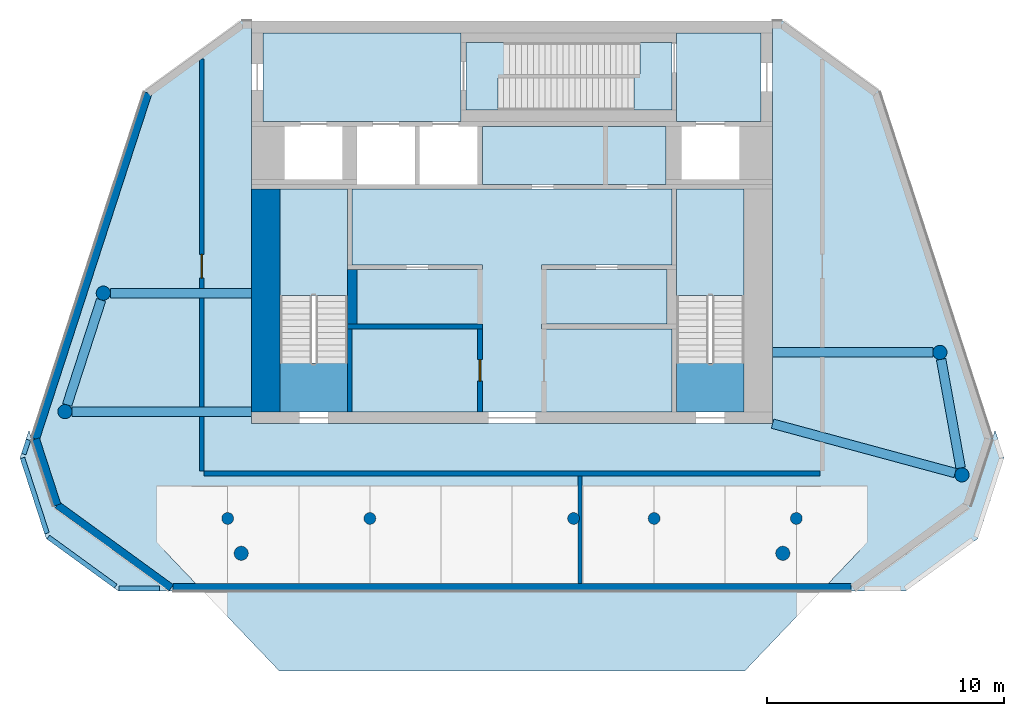
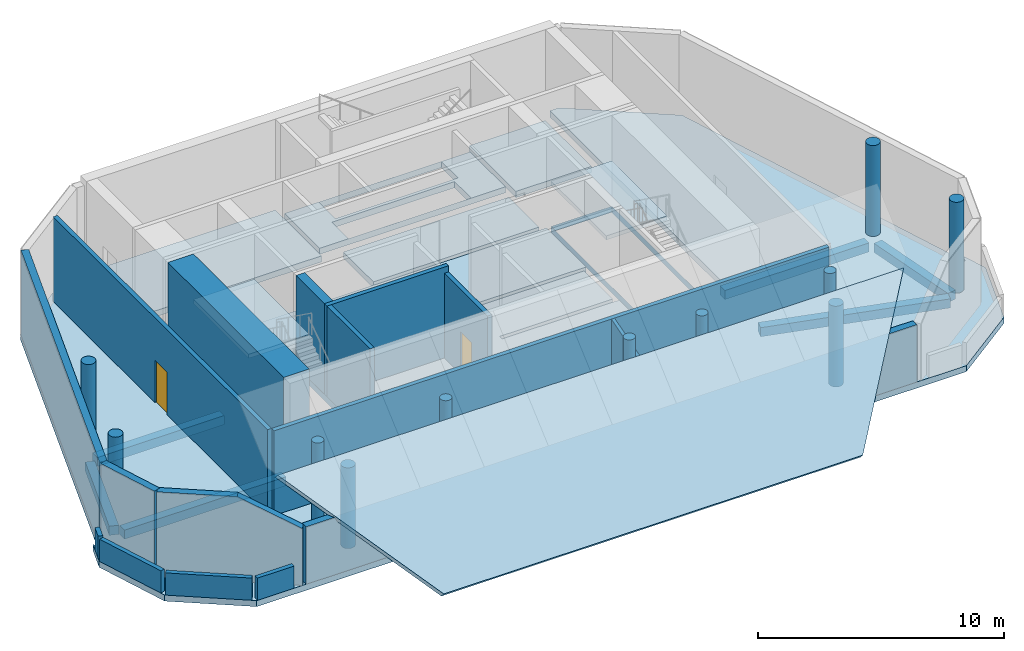
# One storey, part 1 of 6: 16 walls, 11 columns, 11 slabs, 6 beams, 2 doors, 2 openings, 2 elements without a shape of their own.
"""IFC4 building model written with IfcOpenShell, lengths in metres."""

from ifc_helpers import new_model, si_unit, direction, frame, frame_2d, origin, origin_2d, place, context, subcontext, project, spatial, polyline, rectangle, circle, outline, extrude, material, layer, layer_set, material_profile, profile_set, type_object, element, fill, aggregate, save


model = new_model("IFC4")

# Units and contexts
model_context = context("Model", 3, precision=1e-05, world=origin(), true_north=direction((0.0, 1.0)))
body_context = subcontext(model_context, "Body", "Model", "MODEL_VIEW")
ifc_project = project(units=[si_unit("LENGTHUNIT", "METRE"), si_unit("AREAUNIT", "SQUARE_METRE"), si_unit("VOLUMEUNIT", "CUBIC_METRE"), si_unit("PLANEANGLEUNIT", "RADIAN"), si_unit("MASSUNIT", "GRAM", prefix="KILO")], contexts=[model_context])

# Site, building, storey
site_placement = place(None, origin())
site = spatial("IfcSite", under=ifc_project, at=site_placement, CompositionType="ELEMENT")
building_placement = place(site_placement, origin())
building = spatial("IfcBuilding", under=site, at=building_placement, Name="White Candle Pilgrim Tower", CompositionType="ELEMENT")
storey_placement = place(building_placement, frame((0.0, 0.0, 337.699951171875)))
storey = spatial("IfcBuildingStorey", under=building, at=storey_placement, Name="L79", CompositionType="ELEMENT", Elevation=337.699951171875)

# Columns
ifc_material_1 = material(Name="Concrete C60/75", Category="concrete")
ifc_material_profile_1 = material_profile(ifc_material_1, circle(Radius=0.25, at=origin_2d()), Name="RC-COL D500")
ifc_profile_set_1 = profile_set([ifc_material_profile_1], Name="Concrete C60/75")
column_type_1 = type_object("IfcColumnType", Name="Interior column RC-COL D500 C60/75", PredefinedType="COLUMN", material=ifc_profile_set_1)
for number, where, z_axis, x_axis, name in (
    (1, (58.0, 67.0, 0.0), (0.0, 0.0, 1.0), (1.0, 0.0, 0.0), "L79 crown column I01"),
    (2, (64.0, 67.0, 0.0), (0.0, 0.0, 1.0), (1.0, 0.0, 0.0), "L79 crown column I02"),
    (3, (72.60009765625, 67.0, 0.0), (0.0, 0.0, 1.0), (1.0, 0.0, 0.0), "L79 crown column I04"),
    (4, (76.0, 67.0, 0.0), (0.0, 0.0, 1.0), (1.0, 0.0, 0.0), "L79 crown column I05"),
    (5, (82.0, 67.0, 0.0), (0.0, 0.0, 1.0), (1.0, 0.0, 0.0), "L79 crown column I06"),
):
    element("IfcColumn", number, at=place(storey_placement, frame(where, z_axis=z_axis, x_axis=x_axis)), inside=storey, type_object=column_type_1, Name=name, PredefinedType="COLUMN", context=body_context, shape_type="SweptSolid", body=[
        extrude(circle(Radius=0.25, at=origin_2d()), origin(), (0.0, 0.0, 1.0), 4.5),
    ])
ifc_material_profile_2 = material_profile(ifc_material_1, circle(Radius=0.300048828125, at=origin_2d()), Name="RC-COL D600")
ifc_profile_set_2 = profile_set([ifc_material_profile_2], Name="Concrete C60/75")
column_type_2 = type_object("IfcColumnType", Name="Perimeter column RC-COL D600 C60/75", PredefinedType="COLUMN", material=ifc_profile_set_2)
for number, where, z_axis, x_axis, name in (
    (6, (88.989990234375, 68.840087890625, 0.0), (0.0, 0.0, 1.0), (1.0, 0.0, 0.0), "L79 crown column T05"),
    (7, (88.06005859375, 74.010009765625, 0.0), (0.0, 0.0, 1.0), (1.0, 0.0, 0.0), "L79 crown column T06"),
    (8, (52.75, 76.510009765625, 0.0), (0.0, 0.0, 1.0), (1.0, 0.0, 0.0), "L79 crown column T07"),
    (9, (51.1298828125, 71.510009765625, 0.0), (0.0, 0.0, 1.0), (1.0, 0.0, 0.0), "L79 crown column T08"),
):
    element("IfcColumn", number, at=place(storey_placement, frame(where, z_axis=z_axis, x_axis=x_axis)), inside=storey, type_object=column_type_2, Name=name, PredefinedType="COLUMN", context=body_context, shape_type="SweptSolid", body=[
        extrude(circle(Radius=0.300048828125, at=origin_2d()), origin(), (0.0, 0.0, 1.0), 4.5),
    ])
ifc_material_profile_3 = material_profile(ifc_material_1, circle(Radius=0.300048828125, at=origin_2d()), Name="RC-COL D600")
ifc_profile_set_3 = profile_set([ifc_material_profile_3], Name="Concrete C60/75")
column_type_3 = type_object("IfcColumnType", Name="Ring column RC-COL D600 C60/75", PredefinedType="COLUMN", material=ifc_profile_set_3)
for number, where, z_axis, x_axis, name in (
    (10, (81.429931640625, 65.530029296875, 0.0), (0.0, 0.0, 1.0), (1.0, 0.0, 0.0), "L79 crown column R05"),
    (11, (58.570068359375, 65.530029296875, 0.0), (0.0, 0.0, 1.0), (1.0, 0.0, 0.0), "L79 crown column R06"),
):
    element("IfcColumn", number, at=place(storey_placement, frame(where, z_axis=z_axis, x_axis=x_axis)), inside=storey, type_object=column_type_3, Name=name, PredefinedType="COLUMN", context=body_context, shape_type="SweptSolid", body=[
        extrude(circle(Radius=0.300048828125, at=origin_2d()), origin(), (0.0, 0.0, 1.0), 4.003662109375),
    ])

# Beams
ifc_material_2 = material(Name="Concrete C50/60", Category="concrete")
ifc_material_profile_4 = material_profile(ifc_material_2, rectangle(XDim=0.39990234375, YDim=0.449951171875, at=origin_2d()), Name="RC-BM 400x450")
ifc_profile_set_4 = profile_set([ifc_material_profile_4], Name="Concrete C50/60")
beam_type = type_object("IfcBeamType", Name="Spandrel beam RC-BM 400x450 C50/60", PredefinedType="BEAM", material=ifc_profile_set_4)
beam_1_placement = place(storey_placement, frame((88.93701171875, 69.135009765625, -0.52490234375), z_axis=(-0.177070671153, 0.984198139308, 0.0), x_axis=(-0.984198139308, -0.177070671153, 0.0)))
element("IfcBeam", 12, at=beam_1_placement, inside=storey, type_object=beam_type, Name="L79 spandrel beam T01", PredefinedType="BEAM", context=body_context, shape_type="SweptSolid", body=[
    extrude(rectangle(XDim=0.39990234375, YDim=0.449951171875, at=origin_2d()), origin(), (0.0, 0.0, 1.0), 4.6533203125),
])
beam_2_placement = place(storey_placement, frame((87.760009765625, 74.010009765625, -0.52490234375), z_axis=(-1.0, 0.0, 0.0), x_axis=(0.0, -1.0, 0.0)))
element("IfcBeam", 13, at=beam_2_placement, inside=storey, type_object=beam_type, Name="L79 spandrel beam T02", PredefinedType="BEAM", context=body_context, shape_type="SweptSolid", body=[
    extrude(rectangle(XDim=0.39990234375, YDim=0.449951171875, at=origin_2d()), origin(), (0.0, 0.0, 1.0), 6.760009765625),
])
beam_3_placement = place(storey_placement, frame((53.050048828125, 76.510009765625, -0.52490234375), z_axis=(1.0, 0.0, 0.0), x_axis=(0.0, 1.0, 0.0)))
element("IfcBeam", 14, at=beam_3_placement, inside=storey, type_object=beam_type, Name="L79 spandrel beam T03", PredefinedType="BEAM", context=body_context, shape_type="SweptSolid", body=[
    extrude(rectangle(XDim=0.39990234375, YDim=0.449951171875, at=origin_2d()), origin(), (0.0, 0.0, 1.0), 5.949951171875),
])
beam_4_placement = place(storey_placement, frame((52.65771484375, 76.224609375, -0.52490234375), z_axis=(-0.308272590093, -0.951298065907, 0.0), x_axis=(0.951298065907, -0.308272590093, 0.0)))
element("IfcBeam", 15, at=beam_4_placement, inside=storey, type_object=beam_type, Name="L79 spandrel beam T04", PredefinedType="BEAM", context=body_context, shape_type="SweptSolid", body=[
    extrude(rectangle(XDim=0.39990234375, YDim=0.449951171875, at=origin_2d()), origin(), (0.0, 0.0, 1.0), 4.656005859375),
])
beam_5_placement = place(storey_placement, frame((51.429931640625, 71.510009765625, -0.52490234375), z_axis=(1.0, 0.0, 0.0), x_axis=(0.0, 1.0, 0.0)))
element("IfcBeam", 16, at=beam_5_placement, inside=storey, type_object=beam_type, Name="L79 spandrel beam T05", PredefinedType="BEAM", context=body_context, shape_type="SweptSolid", body=[
    extrude(rectangle(XDim=0.39990234375, YDim=0.449951171875, at=origin_2d()), origin(), (0.0, 0.0, 1.0), 7.570068359375),
])
beam_6_placement = place(storey_placement, frame((88.700439453125, 68.918212890625, -0.52490234375), z_axis=(-0.965344847794, 0.260977632831, 0.0), x_axis=(-0.260977632831, -0.965344847794, 0.0)))
element("IfcBeam", 17, at=beam_6_placement, inside=storey, type_object=beam_type, Name="L79 spandrel beam T06", PredefinedType="BEAM", context=body_context, shape_type="SweptSolid", body=[
    extrude(rectangle(XDim=0.39990234375, YDim=0.449951171875, at=origin_2d()), origin(), (0.0, 0.0, 1.0), 7.976806640625),
])

# Slabs
ifc_material_3 = material(Name="Concrete C40/50", Category="concrete")
ifc_layer_1 = layer(ifc_material_3, 0.300048828125)
ifc_layer_set_1 = layer_set([ifc_layer_1], Name="Core floor slab 300 mm Concrete C40/50")
slab_type_1 = type_object("IfcSlabType", Name="Core floor slab 300 mm Concrete C40/50", PredefinedType="FLOOR", material=ifc_layer_set_1)
slab_1_placement = place(storey_placement, frame((0.0, 0.0, -0.300048828125)))
element("IfcSlab", 18, at=slab_1_placement, inside=storey, type_object=slab_type_1, Name="CF-L79-01", PredefinedType="FLOOR", context=body_context, shape_type="SweptSolid", body=[
    extrude(outline(polyline([(67.85009765625, 87.5), (67.85009765625, 87.10009765625), (67.85009765625, 84.25), (67.85009765625, 83.75), (59.5, 83.75), (59.5, 87.5), (67.85009765625, 87.5)])), origin(), (0.0, 0.0, 1.0), 0.300048828125),
])
slab_2_placement = place(storey_placement, frame((0.0, 0.0, -0.300048828125)))
element("IfcSlab", 19, at=slab_2_placement, inside=storey, type_object=slab_type_1, Name="CF-L79-02", PredefinedType="FLOOR", context=body_context, shape_type="SweptSolid", body=[
    extrude(outline(polyline([(80.5, 87.5), (80.5, 83.75), (76.949951171875, 83.75), (76.949951171875, 84.25), (76.949951171875, 87.10009765625), (76.949951171875, 87.5), (80.5, 87.5)])), origin(), (0.0, 0.0, 1.0), 0.300048828125),
])
slab_3_placement = place(storey_placement, frame((0.0, 0.0, -0.300048828125)))
element("IfcSlab", 20, at=slab_3_placement, inside=storey, type_object=slab_type_1, Name="CF-L79-03", PredefinedType="FLOOR", context=body_context, shape_type="SweptSolid", body=[
    extrude(outline(polyline([(76.949951171875, 71.5), (76.949951171875, 75.0), (76.949951171875, 75.199951171875), (76.949951171875, 77.5), (76.949951171875, 77.699951171875), (76.949951171875, 80.89990234375), (79.800048828125, 80.89990234375), (79.800048828125, 71.5), (76.949951171875, 71.5)]), holes=[polyline([(79.798095703125, 73.552001953125), (79.798095703125, 80.89794921875), (76.951904296875, 80.89794921875), (76.951904296875, 73.552001953125), (79.798095703125, 73.552001953125)])]), origin(), (0.0, 0.0, 1.0), 0.300048828125),
])
slab_4_placement = place(storey_placement, frame((0.0, 0.0, -0.300048828125)))
element("IfcSlab", 21, at=slab_4_placement, inside=storey, type_object=slab_type_1, Name="CF-L79-04", PredefinedType="FLOOR", context=body_context, shape_type="SweptSolid", body=[
    extrude(outline(polyline([(63.25, 71.5), (63.25, 75.0), (68.75, 75.0), (68.75, 75.199951171875), (63.449951171875, 75.199951171875), (63.449951171875, 77.5), (68.75, 77.5), (68.75, 77.699951171875), (63.25, 77.699951171875), (63.25, 80.89990234375), (76.75, 80.89990234375), (76.75, 77.699951171875), (71.25, 77.699951171875), (71.25, 77.5), (76.550048828125, 77.5), (76.550048828125, 75.199951171875), (71.25, 75.199951171875), (71.25, 75.0), (76.75, 75.0), (76.75, 71.5), (63.25, 71.5)])), origin(), (0.0, 0.0, 1.0), 0.300048828125),
])
slab_5_placement = place(storey_placement, frame((0.0, 0.0, -0.300048828125)))
element("IfcSlab", 22, at=slab_5_placement, inside=storey, type_object=slab_type_1, Name="CF-L79-05", PredefinedType="FLOOR", context=body_context, shape_type="SweptSolid", body=[
    extrude(outline(polyline([(60.199951171875, 71.5), (60.199951171875, 80.89990234375), (63.050048828125, 80.89990234375), (63.050048828125, 77.699951171875), (63.050048828125, 77.5), (63.050048828125, 75.199951171875), (63.050048828125, 75.0), (63.050048828125, 71.5), (60.199951171875, 71.5)]), holes=[polyline([(63.048095703125, 73.552001953125), (63.048095703125, 80.89794921875), (60.201904296875, 80.89794921875), (60.201904296875, 73.552001953125), (63.048095703125, 73.552001953125)])]), origin(), (0.0, 0.0, 1.0), 0.300048828125),
])
slab_6_placement = place(storey_placement, frame((0.0, 0.0, -0.300048828125)))
element("IfcSlab", 23, at=slab_6_placement, inside=storey, type_object=slab_type_1, Name="CF-L79-06", PredefinedType="FLOOR", context=body_context, shape_type="SweptSolid", body=[
    extrude(outline(polyline([(68.75, 83.550048828125), (76.5, 83.550048828125), (76.5, 81.300048828125), (76.5, 81.10009765625), (68.75, 81.10009765625), (68.75, 83.550048828125)])), origin(), (0.0, 0.0, 1.0), 0.300048828125),
])
slab_7_placement = place(storey_placement, frame((0.0, 0.0, -0.300048828125)))
element("IfcSlab", 24, at=slab_7_placement, inside=storey, type_object=slab_type_1, Name="CF-L79-07", PredefinedType="FLOOR", context=body_context, shape_type="SweptSolid", body=[
    extrude(outline(polyline([(68.050048828125, 87.10009765625), (76.75, 87.10009765625), (76.75, 84.25), (68.050048828125, 84.25), (68.050048828125, 87.10009765625)]), holes=[polyline([(69.402099609375, 84.251953125), (75.14794921875, 84.251953125), (75.14794921875, 85.597900390625), (69.402099609375, 85.597900390625), (69.402099609375, 84.251953125)]), polyline([(69.652099609375, 87.097900390625), (69.652099609375, 85.751953125), (75.39794921875, 85.751953125), (75.39794921875, 87.097900390625), (69.652099609375, 87.097900390625)])]), origin(), (0.0, 0.0, 1.0), 0.300048828125),
])
ifc_layer_2 = layer(ifc_material_3, 0.300048828125)
ifc_layer_set_2 = layer_set([ifc_layer_2], Name="Floor slab 300 REI 120")
slab_type_2 = type_object("IfcSlabType", Name="Floor slab 300 REI 120", PredefinedType="FLOOR", material=ifc_layer_set_2)
slab_8_placement = place(storey_placement, frame((0.0, 0.0, -0.300048828125)))
element("IfcSlab", 25, at=slab_8_placement, inside=storey, type_object=slab_type_2, Name="L79 floor slab", PredefinedType="FLOOR", context=body_context, shape_type="SweptSolid", body=[
    extrude(outline(polyline([(53.377197265625, 63.944091796875), (86.622802734375, 63.944091796875), (89.660888671875, 66.1513671875), (90.766845703125, 69.555419921875), (90.38818359375, 70.72021484375), (90.27001953125, 70.3564453125), (85.4951171875, 85.0517578125), (81.43701171875, 88.0), (81.0, 88.0), (81.0, 71.0), (59.0, 71.0), (59.0, 88.0), (58.56298828125, 88.0), (54.5048828125, 85.051513671875), (49.72998046875, 70.3564453125), (49.611572265625, 70.72021484375), (49.233154296875, 69.555419921875), (50.33935546875, 66.1513671875), (53.377197265625, 63.944091796875)])), origin(), (0.0, 0.0, 1.0), 0.300048828125),
])
ifc_layer_3 = layer(ifc_material_3, 0.300048828125)
ifc_layer_set_3 = layer_set([ifc_layer_3], Name="Roof slab 300 REI 120")
slab_type_3 = type_object("IfcSlabType", Name="Roof slab 300 REI 120", PredefinedType="ROOF", material=ifc_layer_set_3)
slab_9_placement = place(storey_placement, frame((60.1640625, 60.5771484375, 0.018798828125), z_axis=(0.0, -0.662915041022, 0.748694629596), x_axis=(-0.581687952701, 0.608997216271, 0.539223067252)))
element("IfcSlab", 26, at=slab_9_placement, inside=storey, type_object=slab_type_3, Name="Roof slab L79-01", PredefinedType="ROOF", context=body_context, shape_type="SweptSolid", body=[
    extrude(outline(polyline([(0.0, 0.0), (0.25728262452413336, 1.3877787807814457e-17), (0.5145482143439166, 1.2181873354819017e-05), (0.7718308388680499, 1.2181873354832895e-05), (1.0289714497318558, -0.00018640504730160767), (1.2863857205126428, -0.00028054803876331746), (1.5436683450367759, -0.00028054803876326195), (1.8009509695609096, -0.00028054803876331746), (2.058223226681369, -0.0005732779508813013), (2.3153571702444986, -0.0004669530860648141), (2.5724977811083045, -0.0006655400067212547), (2.8299120518890915, -0.0007596829981830755), (3.0871946764132243, -0.0007596829981829645), (3.344477300937358, -0.0007596829981829645), (3.601759925461492, -0.0007596829981830755), (3.859032182581951, -0.0010524129103011148), (4.116314807106084, -0.0010524129103010038), (4.37345541796989, -0.0012509998309576664), (4.630721007789673, -0.0012388179576028335), (4.888003632313807, -0.0012388179576026115), (5.14528625683794, -0.0012388179576026115), (5.402558513958399, -0.0015315478697208729), (5.659841138482533, -0.0015315478697208729), (5.917123763006667, -0.0015315478697208729), (6.174247339166122, -0.0017179529170221475), (6.431529963690255, -0.0017179529170225916), (6.688812588214389, -0.0017179529170225916), (6.946226858995177, -0.0018120959084839683), (7.203367469858982, -0.002010682829140409), (7.460650094383116, -0.002010682829140631), (7.717922351503574, -0.002303412741258448), (7.975056295066704, -0.0021970878764419055), (8.232338919590838, -0.0021970878764416835), (8.308831686696536, -0.0022724830539364582), (-8.754677656282905, -23.863285347606276), (-8.779477451029425, -23.79092431330984), (-8.862651327992154, -23.54745674858506), (-8.945676523993882, -23.304095508725098), (-9.029124060873592, -23.060732387929512), (-9.112297937836324, -22.81726482320473), (-9.195613828459381, -22.573995845400614), (-9.278919351678766, -22.33043413768437), (-9.362093228641495, -22.086966572959593), (-9.445267105604227, -21.84349900823481), (-9.528565961522933, -21.600242212304043), (-9.611739838485665, -21.35677464757926), (-9.694913715448397, -21.11330708285448), (-9.778361252328107, -20.869943962058894), (-9.861535129290838, -20.62647639733412), (-9.944709006253568, -20.383008832609338), (-10.027865848511949, -20.139553449757912), (-10.111181739135006, -19.896284471953788), (-10.194355616097738, -19.652816907229013), (-10.277803152977448, -19.409453786433428), (-10.360977029940178, -19.165986221708646), (-10.444150906902909, -18.92251865698387), (-10.527324783865641, -18.679051092259087), (-10.610630307085025, -18.435489384542848), (-10.693946197708083, -18.192220406738723), (-10.77697139370981, -17.94885916687876), (-10.86041893058952, -17.705496046083173), (-10.943592807552252, -17.46202848135839), (-11.026766684514982, -17.218560916633617), (-11.110072207734365, -16.974999208917374), (-11.193388098357424, -16.731730231113254), (-11.276561975320154, -16.488262666388472), (-11.359718817578536, -16.24480728353705), (-11.442892694541266, -16.001339718812268), (-11.454319579764041, -15.96855631773686), (-0.03471712551647108, 0.00021514608775276365), (0.0, 0.0)])), origin(), (0.0, 0.0, -1.0), 0.300048828125),
])

# Stair, slab
stair_type_1 = type_object("IfcStairType", Name="Exit stair 1 flight width 1350 mm", PredefinedType="HALF_TURN_STAIR", material=ifc_material_3)
stair_1_placement = place(storey_placement, origin())
stair_1 = element("IfcStair", 27, at=stair_1_placement, inside=storey, type_object=stair_type_1, Name="L79 stair 1", PredefinedType="NOTDEFINED")
ifc_layer_4 = layer(ifc_material_3, 0.199951171875)
ifc_layer_set_4 = layer_set([ifc_layer_4], Name="Stair landing Concrete C40/50")
slab_type_4 = type_object("IfcSlabType", Name="Stair landing Concrete C40/50", PredefinedType="LANDING", material=ifc_layer_set_4)
slab_10_placement = place(storey_placement, frame((0.0, 0.0, 2.050048828125)))
slab_10 = element("IfcSlab", 28, at=slab_10_placement, type_object=slab_type_4, Name="ST1 landing 1", PredefinedType="LANDING", context=body_context, shape_type="SweptSolid", body=[
    extrude(outline(polyline([(63.052001953125, 76.407958984375), (60.197998046875, 76.407958984375), (60.197998046875, 80.902099609375), (63.052001953125, 80.902099609375), (63.052001953125, 76.407958984375)])), origin(), (0.0, 0.0, 1.0), 0.199951171875),
])
aggregate(stair_1, [slab_10])

stair_type_2 = type_object("IfcStairType", Name="Exit stair 2 flight width 1350 mm", PredefinedType="HALF_TURN_STAIR", material=ifc_material_3)
stair_2_placement = place(storey_placement, origin())
stair_2 = element("IfcStair", 29, at=stair_2_placement, inside=storey, type_object=stair_type_2, Name="L79 stair 2", PredefinedType="NOTDEFINED")
slab_11_placement = place(storey_placement, frame((0.0, 0.0, 2.050048828125)))
slab_11 = element("IfcSlab", 30, at=slab_11_placement, type_object=slab_type_4, Name="ST2 landing 1", PredefinedType="LANDING", context=body_context, shape_type="SweptSolid", body=[
    extrude(outline(polyline([(79.802001953125, 76.407958984375), (76.947998046875, 76.407958984375), (76.947998046875, 80.902099609375), (79.802001953125, 80.902099609375), (79.802001953125, 76.407958984375)])), origin(), (0.0, 0.0, 1.0), 0.199951171875),
])
aggregate(stair_2, [slab_11])

# Wall
ifc_material_4 = material(Name="Gypsum board on steel studs", Category="steel")
ifc_layer_5 = layer(ifc_material_4, 0.199951171875)
ifc_layer_set_5 = layer_set([ifc_layer_5], Name="Corridor wall 200 mm EI 45")
wall_type_1 = type_object("IfcWallType", Name="Corridor wall 200 mm EI 45", PredefinedType="PARTITIONING", material=ifc_layer_set_5)
wall_1_placement = place(storey_placement, frame((83.0, 68.89990234375, 0.0), z_axis=(0.0, 0.0, 1.0), x_axis=(-1.0, 0.0, 0.0)))
element("IfcWall", 31, at=wall_1_placement, inside=storey, type_object=wall_type_1, Name="WL-L79-P002", PredefinedType="PARTITIONING", context=body_context, shape_type="SweptSolid", body=[
    extrude(rectangle(XDim=26.0, YDim=0.199951171875, at=frame_2d((13.0, 0.0))), origin(), (0.0, 0.0, 1.0), 4.199951171875),
])

# Wall, opening, door
wall_2_placement = place(storey_placement, frame((56.89990234375, 69.0, 0.0), z_axis=(0.0, 0.0, 1.0), x_axis=(0.0, 1.0, 0.0)))
wall_2 = element("IfcWall", 32, at=wall_2_placement, inside=storey, type_object=wall_type_1, Name="WL-L79-P003", PredefinedType="PARTITIONING", context=body_context, shape_type="SweptSolid", body=[
    extrude(rectangle(XDim=17.396240234375, YDim=0.199951171875, at=frame_2d((8.6982421875, 0.0))), origin(), (0.0, 0.0, 1.0), 4.199951171875),
])
opening_1_placement = place(wall_2_placement, frame((8.148193359375, 0.0, 0.0)))
opening_1 = element("IfcOpeningElement", 33, at=opening_1_placement, cuts=wall_2, Name="Opening L79-101", PredefinedType="OPENING", context=body_context, shape_type="SweptSolid", body=[
    extrude(rectangle(XDim=1.0, YDim=2.10009765625, at=frame_2d((0.5, 1.050048828125))), frame((0.0, 0.10986328125, 0.0), z_axis=(0.0, -1.0, 0.0), x_axis=(1.0, 0.0, 0.0)), (0.0, 0.0, 1.0), 0.219970703125),
])
ifc_material_5 = material(Name="Steel door leaf", Category="steel")
door_type_1 = type_object("IfcDoorType", Name="Fire door 1000 x 2100 EI 30", OperationType="NOTDEFINED", PredefinedType="DOOR", material=ifc_material_5)
door_1_placement = place(opening_1_placement, origin())
door_1 = element("IfcDoor", 34, at=door_1_placement, inside=storey, type_object=door_type_1, Name="Door L79-101", OperationType="SINGLE_SWING_LEFT", OverallHeight=2.10009765625, OverallWidth=1.0, PredefinedType="DOOR", context=body_context, shape_type="SweptSolid", body=[
    extrude(rectangle(XDim=1.0, YDim=2.10009765625, at=frame_2d((0.5, 1.050048828125))), frame((0.0, 0.02490234375, 0.0), z_axis=(0.0, -1.0, 0.0), x_axis=(1.0, 0.0, 0.0)), (0.0, 0.0, 1.0), 0.050048828125),
])
fill(opening_1, door_1)

# Walls
ifc_material_6 = material(Name="Precast concrete C40/50", Category="concrete")
ifc_layer_6 = layer(ifc_material_6, 0.320068359375)
ifc_layer_set_6 = layer_set([ifc_layer_6], Name="Facade wall EW4 precast concrete C40/50 crown wall with zinc cladding")
wall_type_2 = type_object("IfcWallType", Name="Facade wall EW4 precast concrete C40/50 crown wall with zinc cladding", PredefinedType="SOLIDWALL", material=ifc_layer_set_6)
wall_3_placement = place(storey_placement, frame((49.898193359375, 70.356201171875, 0.0), z_axis=(0.0, 0.0, 1.0), x_axis=(0.309046517069, -0.951046923284, 0.0)))
element("IfcWall", 35, at=wall_3_placement, inside=storey, type_object=wall_type_2, Name="Crown wall L79 W chamfer", PredefinedType="SOLIDWALL", context=body_context, shape_type="SweptSolid", body=[
    extrude(rectangle(XDim=2.930908203125, YDim=0.320068359375, at=frame_2d((1.46533203125, 0.0))), origin(), (0.0, 0.0, 1.0), 4.199951171875),
])
wall_4_placement = place(storey_placement, frame((50.803955078125, 67.56884765625, 0.0), z_axis=(0.0, 0.0, 1.0), x_axis=(0.809007633146, -0.587798136704, 0.0)))
element("IfcWall", 36, at=wall_4_placement, inside=storey, type_object=wall_type_2, Name="Crown wall L79 SW", PredefinedType="SOLIDWALL", context=body_context, shape_type="SweptSolid", body=[
    extrude(outline(polyline([(0.0, 0.0), (5.946533203125, 0.0), (5.946533203125, 2.814697265625), (3.28466796875, 4.199951171875), (0.0, 4.199951171875), (0.0, 0.0)])), frame((0.0, 0.16015625, 0.0), z_axis=(0.0, -1.0, 0.0), x_axis=(1.0, 0.0, 0.0)), (0.0, 0.0, 1.0), 0.320068359375),
])
wall_5_placement = place(storey_placement, frame((54.640869140625, 84.95263671875, 0.0), z_axis=(0.0, 0.0, 1.0), x_axis=(-0.309017370219, -0.951056394176, 0.0)))
element("IfcWall", 37, at=wall_5_placement, inside=storey, type_object=wall_type_2, Name="Crown wall L79 WNW", PredefinedType="SOLIDWALL", context=body_context, shape_type="SweptSolid", body=[
    extrude(rectangle(XDim=15.34765625, YDim=0.320068359375, at=frame_2d((7.673828125, 0.0))), origin(), (0.0, 0.0, 1.0), 4.199951171875),
])
wall_6_placement = place(storey_placement, frame((55.69189453125, 64.10400390625, 0.0), z_axis=(0.0, 0.0, 1.0), x_axis=(1.0, 0.0, 0.0)))
element("IfcWall", 38, at=wall_6_placement, inside=storey, type_object=wall_type_2, Name="Crown wall L79 S", PredefinedType="SOLIDWALL", context=body_context, shape_type="SweptSolid", body=[
    extrude(rectangle(XDim=28.6162109375, YDim=0.320068359375, at=frame_2d((14.30810546875, 0.0))), origin(), (0.0, 0.0, 1.0), 2.841796875),
])

# Wall, opening, door
ifc_layer_7 = layer(ifc_material_4, 0.199951171875)
ifc_layer_set_7 = layer_set([ifc_layer_7], Name="Lobby wall 200 mm EI 60")
wall_type_3 = type_object("IfcWallType", Name="Lobby wall 200 mm EI 60", PredefinedType="PARTITIONING", material=ifc_layer_set_7)
wall_7_placement = place(storey_placement, frame((68.64990234375, 71.5, 0.0), z_axis=(0.0, 0.0, 1.0), x_axis=(0.0, 1.0, 0.0)))
wall_7 = element("IfcWall", 39, at=wall_7_placement, inside=storey, type_object=wall_type_3, Name="WL-L79-C04", PredefinedType="PARTITIONING", context=body_context, shape_type="SweptSolid", body=[
    extrude(rectangle(XDim=3.5, YDim=0.199951171875, at=frame_2d((1.75, 0.0))), origin(), (0.0, 0.0, 1.0), 4.199951171875),
])
opening_2_placement = place(wall_7_placement, frame((1.300048828125, 0.0, 0.0)))
opening_2 = element("IfcOpeningElement", 40, at=opening_2_placement, cuts=wall_7, Name="Opening L79-006", PredefinedType="OPENING", context=body_context, shape_type="SweptSolid", body=[
    extrude(rectangle(XDim=0.89990234375, YDim=2.10009765625, at=frame_2d((0.449951171875, 1.050048828125))), frame((0.0, 0.10986328125, 0.0), z_axis=(0.0, -1.0, 0.0), x_axis=(1.0, 0.0, 0.0)), (0.0, 0.0, 1.0), 0.219970703125),
])
door_type_2 = type_object("IfcDoorType", Name="Fire door 900 x 2100 EI 30", OperationType="NOTDEFINED", PredefinedType="DOOR", material=ifc_material_5)
door_2_placement = place(opening_2_placement, origin())
door_2 = element("IfcDoor", 41, at=door_2_placement, inside=storey, type_object=door_type_2, Name="Door L79-006", OperationType="SINGLE_SWING_RIGHT", OverallHeight=2.10009765625, OverallWidth=0.89990234375, PredefinedType="DOOR", context=body_context, shape_type="SweptSolid", body=[
    extrude(rectangle(XDim=0.89990234375, YDim=2.10009765625, at=frame_2d((0.449951171875, 1.050048828125))), frame((0.0, 0.02490234375, 0.0), z_axis=(0.0, -1.0, 0.0), x_axis=(1.0, 0.0, 0.0)), (0.0, 0.0, 1.0), 0.050048828125),
])
fill(opening_2, door_2)

# Walls
ifc_layer_8 = layer(ifc_material_4, 0.14990234375)
ifc_layer_set_8 = layer_set([ifc_layer_8], Name="Partition 150 mm EI 60")
wall_type_4 = type_object("IfcWallType", Name="Partition 150 mm EI 60", PredefinedType="PARTITIONING", material=ifc_layer_set_8)
wall_8_placement = place(storey_placement, frame((72.870361328125, 64.26416015625, 0.0), z_axis=(0.0, 0.0, 1.0), x_axis=(0.0, 1.0, 0.0)))
element("IfcWall", 42, at=wall_8_placement, inside=storey, type_object=wall_type_4, Name="WL-L79-P004", PredefinedType="PARTITIONING", context=body_context, shape_type="SweptSolid", body=[
    extrude(outline(polyline([(0.0, 0.0), (4.535888671875, 0.0), (4.535888671875, 4.199951171875), (0.0, 2.833251953125), (0.0, 0.0)])), frame((0.0, 0.074951171875, 0.0), z_axis=(0.0, -1.0, 0.0), x_axis=(1.0, 0.0, 0.0)), (0.0, 0.0, 1.0), 0.14990234375),
])
ifc_layer_9 = layer(ifc_material_6, 0.199951171875)
ifc_layer_set_9 = layer_set([ifc_layer_9], Name="Roof parapet EW5 precast concrete C40/50 200")
wall_type_5 = type_object("IfcWallType", Name="Roof parapet EW5 precast concrete C40/50 200", PredefinedType="SOLIDWALL", material=ifc_layer_set_9)
wall_9_placement = place(storey_placement, frame((55.1279296875, 64.044189453125, 0.0), z_axis=(0.0, 0.0, 1.0), x_axis=(-1.0, 0.0, 0.0)))
element("IfcWall", 43, at=wall_9_placement, inside=storey, type_object=wall_type_5, Name="Roof parapet L79", PredefinedType="SOLIDWALL", context=body_context, shape_type="SweptSolid", body=[
    extrude(rectangle(XDim=1.71826171875, YDim=0.199951171875, at=frame_2d((0.859130859375, 0.0))), origin(), (0.0, 0.0, 1.0), 1.10009765625),
])
wall_10_placement = place(storey_placement, frame((53.27197265625, 64.14404296875, 0.0), z_axis=(0.0, 0.0, 1.0), x_axis=(-0.808996942446, 0.587812850414, 0.0)))
element("IfcWall", 44, at=wall_10_placement, inside=storey, type_object=wall_type_5, Name="Roof parapet L79", PredefinedType="SOLIDWALL", context=body_context, shape_type="SweptSolid", body=[
    extrude(rectangle(XDim=3.52001953125, YDim=0.199951171875, at=frame_2d((1.760009765625, 0.0))), origin(), (0.0, 0.0, 1.0), 1.10009765625),
])
wall_11_placement = place(storey_placement, frame((50.371826171875, 66.375, 0.0), z_axis=(0.0, 0.0, 1.0), x_axis=(-0.309034897449, 0.951050699047, 0.0)))
element("IfcWall", 45, at=wall_11_placement, inside=storey, type_object=wall_type_5, Name="Roof parapet L79", PredefinedType="SOLIDWALL", context=body_context, shape_type="SweptSolid", body=[
    extrude(rectangle(XDim=3.343994140625, YDim=0.199951171875, at=frame_2d((1.671875, 0.0))), origin(), (0.0, 0.0, 1.0), 1.10009765625),
])
wall_12_placement = place(storey_placement, frame((49.390869140625, 69.71728515625, 0.0), z_axis=(0.0, 0.0, 1.0), x_axis=(0.309243793896, 0.950982794764, 0.0)))
element("IfcWall", 46, at=wall_12_placement, inside=storey, type_object=wall_type_5, Name="Roof parapet L79", PredefinedType="SOLIDWALL", context=body_context, shape_type="SweptSolid", body=[
    extrude(rectangle(XDim=0.6298828125, YDim=0.199951171875, at=frame_2d((0.31494140625, 0.0))), origin(), (0.0, 0.0, 1.0), 1.10009765625),
])
ifc_layer_10 = layer(ifc_material_3, 1.199951171875)
ifc_layer_set_10 = layer_set([ifc_layer_10], Name="Stair shaft wall 1200 mm Concrete C40/50")
wall_type_6 = type_object("IfcWallType", Name="Stair shaft wall 1200 mm Concrete C40/50", PredefinedType="SHEAR", material=ifc_layer_set_10)
wall_13_placement = place(storey_placement, frame((59.60009765625, 71.5, 0.0), z_axis=(0.0, 0.0, 1.0), x_axis=(0.0, 1.0, 0.0)))
element("IfcWall", 47, at=wall_13_placement, inside=storey, type_object=wall_type_6, Name="WL-L79-C02", PredefinedType="SHEAR", context=body_context, shape_type="SweptSolid", body=[
    extrude(rectangle(XDim=9.39990234375, YDim=1.199951171875, at=frame_2d((4.699951171875, 0.0))), origin(), (0.0, 0.0, 1.0), 4.5),
])
ifc_layer_11 = layer(ifc_material_3, 0.199951171875)
ifc_layer_set_11 = layer_set([ifc_layer_11], Name="Stair shaft wall 200 mm Concrete C40/50")
wall_type_7 = type_object("IfcWallType", Name="Stair shaft wall 200 mm Concrete C40/50", PredefinedType="SHEAR", material=ifc_layer_set_11)
wall_14_placement = place(storey_placement, frame((63.14990234375, 71.5, 0.0), z_axis=(0.0, 0.0, 1.0), x_axis=(0.0, 1.0, 0.0)))
element("IfcWall", 48, at=wall_14_placement, inside=storey, type_object=wall_type_7, Name="WL-L79-C03", PredefinedType="SHEAR", context=body_context, shape_type="SweptSolid", body=[
    extrude(rectangle(XDim=3.5, YDim=0.199951171875, at=frame_2d((1.75, 0.0))), origin(), (0.0, 0.0, 1.0), 4.5),
])
wall_15_placement = place(storey_placement, frame((63.050048828125, 75.10009765625, 0.0), z_axis=(0.0, 0.0, 1.0), x_axis=(1.0, 0.0, 0.0)))
element("IfcWall", 49, at=wall_15_placement, inside=storey, type_object=wall_type_7, Name="WL-L79-C08", PredefinedType="SHEAR", context=body_context, shape_type="SweptSolid", body=[
    extrude(rectangle(XDim=5.699951171875, YDim=0.199951171875, at=frame_2d((2.85009765625, 0.0))), origin(), (0.0, 0.0, 1.0), 4.5),
])
ifc_layer_12 = layer(ifc_material_3, 0.39990234375)
ifc_layer_set_12 = layer_set([ifc_layer_12], Name="Stair shaft wall 400 mm Concrete C40/50")
wall_type_8 = type_object("IfcWallType", Name="Stair shaft wall 400 mm Concrete C40/50", PredefinedType="SHEAR", material=ifc_layer_set_12)
wall_16_placement = place(storey_placement, frame((63.25, 75.199951171875, 0.0), z_axis=(0.0, 0.0, 1.0), x_axis=(0.0, 1.0, 0.0)))
element("IfcWall", 50, at=wall_16_placement, inside=storey, type_object=wall_type_8, Name="WL-L79-C10", PredefinedType="SHEAR", context=body_context, shape_type="SweptSolid", body=[
    extrude(rectangle(XDim=2.300048828125, YDim=0.39990234375, at=frame_2d((1.14990234375, 0.0))), origin(), (0.0, 0.0, 1.0), 4.5),
])

save(model, "model.ifc")
